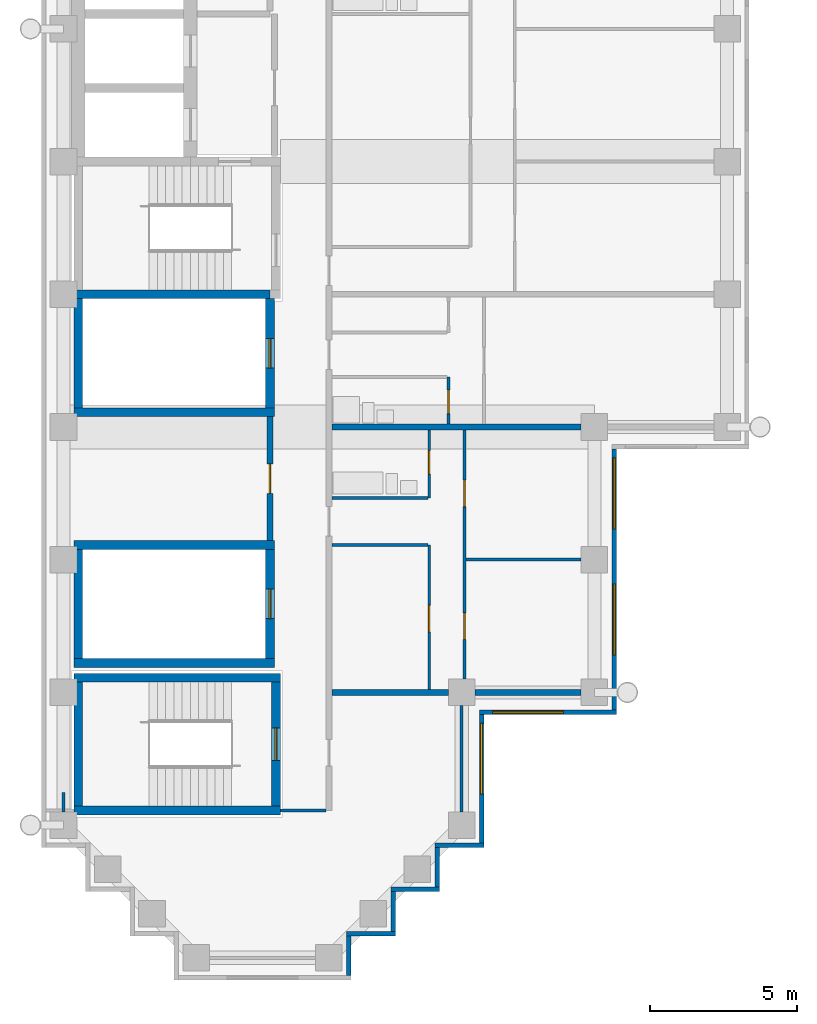
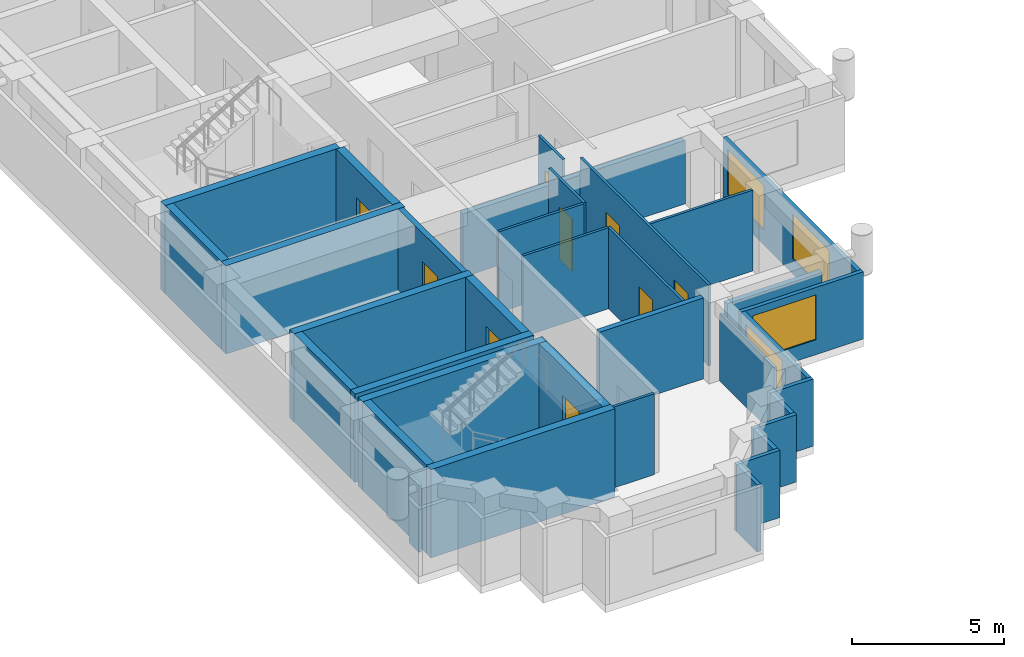
# One storey, part 5 of 14: 35 walls, 9 doors, 4 windows, 13 openings.
"""IFC4 building model written with IfcOpenShell, lengths in metres."""

from ifc_helpers import new_model, si_unit, direction, frame, frame_2d, origin, place, context, subcontext, project, spatial, rectangle, extrude, material, layer, layer_set, type_object, element, fill, save


model = new_model("IFC4")

# Units and contexts
model_context = context("Model", 3, precision=1e-05, world=origin(), true_north=direction((0.0, 1.0)))
body_context = subcontext(model_context, "Body", "Model", "MODEL_VIEW")
ifc_project = project(units=[si_unit("LENGTHUNIT", "METRE"), si_unit("AREAUNIT", "SQUARE_METRE"), si_unit("VOLUMEUNIT", "CUBIC_METRE"), si_unit("PLANEANGLEUNIT", "RADIAN"), si_unit("MASSUNIT", "GRAM", prefix="KILO")], contexts=[model_context])

# Site, building, storey
site_placement = place(None, origin())
site = spatial("IfcSite", under=ifc_project, at=site_placement, CompositionType="ELEMENT")
building_placement = place(site_placement, origin())
building = spatial("IfcBuilding", under=site, at=building_placement, Name="Firuza Court", CompositionType="ELEMENT")
storey_placement = place(building_placement, frame((0.0, 0.0, 182.60009765625)))
storey = spatial("IfcBuildingStorey", under=building, at=storey_placement, Name="L46", CompositionType="ELEMENT", Elevation=182.60009765625)

# Walls
ifc_material_1 = material(Name="Moisture-resistant gypsum board partition")
ifc_layer_1 = layer(ifc_material_1, 0.10009765625)
ifc_layer_set_1 = layer_set([ifc_layer_1], Name="Moisture-resistant gypsum board partition")
wall_type_1 = type_object("IfcWallType", Name="Bathroom partition 100", PredefinedType="PLUMBINGWALL", material=ifc_layer_set_1)
wall_1_placement = place(storey_placement, frame((9.10009765625, 15.60009765625, 0.0), z_axis=(0.0, 0.0, 1.0), x_axis=(1.0, 0.0, 0.0)))
element("IfcWall", 1, at=wall_1_placement, inside=storey, type_object=wall_type_1, Name="Bathroom partition 100 L46", PredefinedType="PLUMBINGWALL", context=body_context, shape_type="SweptSolid", body=[
    extrude(rectangle(XDim=3.25, YDim=0.10009765625, at=frame_2d((1.625, 0.0))), origin(), (0.0, 0.0, 1.0), 3.25),
])
ifc_material_2 = material(Name="Concrete C50/60", Category="concrete")
ifc_layer_2 = layer(ifc_material_2, 0.300048828125)
ifc_layer_set_2 = layer_set([ifc_layer_2], Name="Concrete C50/60")
wall_type_2 = type_object("IfcWallType", Name="Core wall 300 C50/60", PredefinedType="SHEAR", material=ifc_layer_set_2)
for number, where, z_axis, x_axis, name in (
    (2, (0.35009765625, 5.0, -0.300048828125), (0.0, 0.0, 1.0), (1.0, 0.0, 0.0), "Core wall stair L46"),
    (3, (0.35009765625, 9.5, -0.300048828125), (0.0, 0.0, 1.0), (1.0, 0.0, 0.0), "Core wall stair L46"),
):
    element("IfcWall", number, at=place(storey_placement, frame(where, z_axis=z_axis, x_axis=x_axis)), inside=storey, type_object=wall_type_2, Name=name, PredefinedType="SHEAR", context=body_context, shape_type="SweptSolid", body=[
        extrude(rectangle(XDim=7.0, YDim=0.300048828125, at=frame_2d((3.5, 0.0))), origin(), (0.0, 0.0, 1.0), 3.550048828125),
    ])
for number, where, z_axis, x_axis, name in (
    (4, (0.35009765625, 10.0, -0.300048828125), (0.0, 0.0, 1.0), (1.0, 0.0, 0.0), "Core wall riser L46"),
    (5, (0.35009765625, 14.0, -0.300048828125), (0.0, 0.0, 1.0), (1.0, 0.0, 0.0), "Core wall riser L46"),
    (6, (0.35009765625, 18.5, -0.300048828125), (0.0, 0.0, 1.0), (1.0, 0.0, 0.0), "Core wall riser L46"),
):
    element("IfcWall", number, at=place(storey_placement, frame(where, z_axis=z_axis, x_axis=x_axis)), inside=storey, type_object=wall_type_2, Name=name, PredefinedType="SHEAR", context=body_context, shape_type="SweptSolid", body=[
        extrude(rectangle(XDim=6.7998046875, YDim=0.300048828125, at=frame_2d((3.39990234375, 0.0))), origin(), (0.0, 0.0, 1.0), 3.550048828125),
    ])
wall_2_placement = place(storey_placement, frame((0.35009765625, 22.5, -0.300048828125), z_axis=(0.0, 0.0, 1.0), x_axis=(1.0, 0.0, 0.0)))
element("IfcWall", 7, at=wall_2_placement, inside=storey, type_object=wall_type_2, Name="Core wall riser L46", PredefinedType="SHEAR", context=body_context, shape_type="SweptSolid", body=[
    extrude(rectangle(XDim=6.64990234375, YDim=0.300048828125, at=frame_2d((3.324951171875, 0.0))), origin(), (0.0, 0.0, 1.0), 3.550048828125),
])
wall_3_placement = place(storey_placement, frame((0.5, 5.14990234375, -0.300048828125), z_axis=(0.0, 0.0, 1.0), x_axis=(0.0, 1.0, 0.0)))
element("IfcWall", 8, at=wall_3_placement, inside=storey, type_object=wall_type_2, Name="Core wall stair L46", PredefinedType="SHEAR", context=body_context, shape_type="SweptSolid", body=[
    extrude(rectangle(XDim=4.2001953125, YDim=0.300048828125, at=frame_2d((2.10009765625, 0.0))), origin(), (0.0, 0.0, 1.0), 3.550048828125),
])
for number, where, z_axis, x_axis, name in (
    (9, (0.5, 10.14990234375, -0.300048828125), (0.0, 0.0, 1.0), (0.0, 1.0, 0.0), "Core wall riser L46"),
    (10, (0.5, 18.64990234375, -0.300048828125), (0.0, 0.0, 1.0), (0.0, 1.0, 0.0), "Core wall riser L46"),
):
    element("IfcWall", number, at=place(storey_placement, frame(where, z_axis=z_axis, x_axis=x_axis)), inside=storey, type_object=wall_type_2, Name=name, PredefinedType="SHEAR", context=body_context, shape_type="SweptSolid", body=[
        extrude(rectangle(XDim=3.7001953125, YDim=0.300048828125, at=frame_2d((1.85009765625, 0.0))), origin(), (0.0, 0.0, 1.0), 3.550048828125),
    ])

# Wall, opening, door
wall_4_placement = place(storey_placement, frame((7.0, 10.14990234375, -0.300048828125), z_axis=(0.0, 0.0, 1.0), x_axis=(0.0, 1.0, 0.0)))
wall_4 = element("IfcWall", 11, at=wall_4_placement, inside=storey, type_object=wall_type_2, Name="Core wall riser L46", PredefinedType="SHEAR", context=body_context, shape_type="SweptSolid", body=[
    extrude(rectangle(XDim=3.7001953125, YDim=0.300048828125, at=frame_2d((1.85009765625, 0.0))), origin(), (0.0, 0.0, 1.0), 3.550048828125),
])
opening_1_placement = place(wall_4_placement, frame((1.35009765625, 0.0, 0.300048828125)))
opening_1 = element("IfcOpeningElement", 12, at=opening_1_placement, cuts=wall_4, Name="Opening D46011", PredefinedType="OPENING", context=body_context, shape_type="SweptSolid", body=[
    extrude(rectangle(XDim=1.0, YDim=2.10009765625, at=frame_2d((0.5, 1.050048828125))), frame((0.0, 0.162109375, 0.0), z_axis=(0.0, -1.0, 0.0), x_axis=(1.0, 0.0, 0.0)), (0.0, 0.0, 1.0), 0.323974609375),
])
ifc_material_3 = material(Name="Timber door leaf in hardwood frame", Category="wood")
door_type_1 = type_object("IfcDoorType", Name="Riser door 1000", OperationType="SINGLE_SWING_LEFT", PredefinedType="DOOR", material=ifc_material_3)
door_1_placement = place(opening_1_placement, origin())
door_1 = element("IfcDoor", 13, at=door_1_placement, inside=storey, type_object=door_type_1, Name="Riser door R4", OperationType="SINGLE_SWING_LEFT", OverallHeight=2.10009765625, OverallWidth=1.0, PredefinedType="DOOR", context=body_context, shape_type="SweptSolid", body=[
    extrude(rectangle(XDim=1.0, YDim=2.10009765625, at=frame_2d((0.5, 1.050048828125))), frame((0.0, 0.02490234375, 0.0), z_axis=(0.0, -1.0, 0.0), x_axis=(1.0, 0.0, 0.0)), (0.0, 0.0, 1.0), 0.050048828125),
])
fill(opening_1, door_1)

wall_5_placement = place(storey_placement, frame((7.0, 18.64990234375, -0.300048828125), z_axis=(0.0, 0.0, 1.0), x_axis=(0.0, 1.0, 0.0)))
wall_5 = element("IfcWall", 14, at=wall_5_placement, inside=storey, type_object=wall_type_2, Name="Core wall riser L46", PredefinedType="SHEAR", context=body_context, shape_type="SweptSolid", body=[
    extrude(rectangle(XDim=3.7001953125, YDim=0.300048828125, at=frame_2d((1.85009765625, 0.0))), origin(), (0.0, 0.0, 1.0), 3.550048828125),
])
opening_2_placement = place(wall_5_placement, frame((1.35009765625, 0.0, 0.300048828125)))
opening_2 = element("IfcOpeningElement", 15, at=opening_2_placement, cuts=wall_5, Name="Opening D46009", PredefinedType="OPENING", context=body_context, shape_type="SweptSolid", body=[
    extrude(rectangle(XDim=1.0, YDim=2.10009765625, at=frame_2d((0.5, 1.050048828125))), frame((0.0, 0.162109375, 0.0), z_axis=(0.0, -1.0, 0.0), x_axis=(1.0, 0.0, 0.0)), (0.0, 0.0, 1.0), 0.323974609375),
])
door_2_placement = place(opening_2_placement, origin())
door_2 = element("IfcDoor", 16, at=door_2_placement, inside=storey, type_object=door_type_1, Name="Riser door R1", OperationType="SINGLE_SWING_LEFT", OverallHeight=2.10009765625, OverallWidth=1.0, PredefinedType="DOOR", context=body_context, shape_type="SweptSolid", body=[
    extrude(rectangle(XDim=1.0, YDim=2.10009765625, at=frame_2d((0.5, 1.050048828125))), frame((0.0, 0.02490234375, 0.0), z_axis=(0.0, -1.0, 0.0), x_axis=(1.0, 0.0, 0.0)), (0.0, 0.0, 1.0), 0.050048828125),
])
fill(opening_2, door_2)

wall_6_placement = place(storey_placement, frame((7.199951171875, 5.14990234375, -0.300048828125), z_axis=(0.0, 0.0, 1.0), x_axis=(0.0, 1.0, 0.0)))
wall_6 = element("IfcWall", 17, at=wall_6_placement, inside=storey, type_object=wall_type_2, Name="Core wall stair L46", PredefinedType="SHEAR", context=body_context, shape_type="SweptSolid", body=[
    extrude(rectangle(XDim=4.2001953125, YDim=0.300048828125, at=frame_2d((2.10009765625, 0.0))), origin(), (0.0, 0.0, 1.0), 3.550048828125),
])
opening_3_placement = place(wall_6_placement, frame((1.550048828125, 0.0, 0.300048828125)))
opening_3 = element("IfcOpeningElement", 18, at=opening_3_placement, cuts=wall_6, Name="Opening D46017", PredefinedType="OPENING", context=body_context, shape_type="SweptSolid", body=[
    extrude(rectangle(XDim=1.10009765625, YDim=2.10009765625, at=frame_2d((0.550048828125, 1.050048828125))), frame((0.0, 0.162109375, 0.0), z_axis=(0.0, -1.0, 0.0), x_axis=(1.0, 0.0, 0.0)), (0.0, 0.0, 1.0), 0.323974609375),
])
ifc_material_4 = material(Name="Timber door leaf in hardwood frame", Category="wood")
door_type_2 = type_object("IfcDoorType", Name="Stair door 1100", OperationType="SINGLE_SWING_LEFT", PredefinedType="DOOR", material=ifc_material_4)
door_3_placement = place(opening_3_placement, origin())
door_3 = element("IfcDoor", 19, at=door_3_placement, inside=storey, type_object=door_type_2, Name="Stair door S5", OperationType="SINGLE_SWING_LEFT", OverallHeight=2.10009765625, OverallWidth=1.10009765625, PredefinedType="DOOR", context=body_context, shape_type="SweptSolid", body=[
    extrude(rectangle(XDim=1.10009765625, YDim=2.10009765625, at=frame_2d((0.550048828125, 1.050048828125))), frame((0.0, 0.02490234375, 0.0), z_axis=(0.0, -1.0, 0.0), x_axis=(1.0, 0.0, 0.0)), (0.0, 0.0, 1.0), 0.050048828125),
])
fill(opening_3, door_3)

ifc_material_5 = material(Name="Blockwork, plastered both sides", Category="masonry")
ifc_layer_3 = layer(ifc_material_5, 0.199951171875)
ifc_layer_set_3 = layer_set([ifc_layer_3], Name="Blockwork, plastered both sides")
wall_type_3 = type_object("IfcWallType", Name="Corridor wall 200", PredefinedType="PARTITIONING", material=ifc_layer_set_3)
wall_7_placement = place(storey_placement, frame((7.0, 14.14990234375, 0.0), z_axis=(0.0, 0.0, 1.0), x_axis=(0.0, 1.0, 0.0)))
wall_7 = element("IfcWall", 20, at=wall_7_placement, inside=storey, type_object=wall_type_3, Name="Corridor wall 200 L46", PredefinedType="PARTITIONING", context=body_context, shape_type="SweptSolid", body=[
    extrude(rectangle(XDim=4.2001953125, YDim=0.199951171875, at=frame_2d((2.10009765625, 0.0))), origin(), (0.0, 0.0, 1.0), 3.25),
])
opening_4_placement = place(wall_7_placement, frame((1.60009765625, 0.0, 0.0)))
opening_4 = element("IfcOpeningElement", 21, at=opening_4_placement, cuts=wall_7, Name="Opening D46025", PredefinedType="OPENING", context=body_context, shape_type="SweptSolid", body=[
    extrude(rectangle(XDim=1.0, YDim=2.10009765625, at=frame_2d((0.5, 1.050048828125))), frame((0.0, 0.11181640625, 0.0), z_axis=(0.0, -1.0, 0.0), x_axis=(1.0, 0.0, 0.0)), (0.0, 0.0, 1.0), 0.223876953125),
])
ifc_material_6 = material(Name="Timber door leaf in hardwood frame", Category="wood")
door_type_3 = type_object("IfcDoorType", Name="Store door 1000", OperationType="SINGLE_SWING_LEFT", PredefinedType="DOOR", material=ifc_material_6)
door_4_placement = place(opening_4_placement, origin())
door_4 = element("IfcDoor", 22, at=door_4_placement, inside=storey, type_object=door_type_3, Name="Comms room door", OperationType="SINGLE_SWING_LEFT", OverallHeight=2.10009765625, OverallWidth=1.0, PredefinedType="DOOR", context=body_context, shape_type="SweptSolid", body=[
    extrude(rectangle(XDim=1.0, YDim=2.10009765625, at=frame_2d((0.5, 1.050048828125))), frame((0.0, 0.02490234375, 0.0), z_axis=(0.0, -1.0, 0.0), x_axis=(1.0, 0.0, 0.0)), (0.0, 0.0, 1.0), 0.050048828125),
])
fill(opening_4, door_4)

# Walls
ifc_material_7 = material(Name="Timber stud partition, plasterboard both sides", Category="wood")
ifc_layer_4 = layer(ifc_material_7, 0.10009765625)
ifc_layer_set_4 = layer_set([ifc_layer_4], Name="Timber stud partition, plasterboard both sides")
wall_type_4 = type_object("IfcWallType", Name="Partition wall 100", PredefinedType="PARTITIONING", material=ifc_layer_set_4)
wall_8_placement = place(storey_placement, frame((0.0, 4.949951171875, 0.0), z_axis=(0.0, 0.0, 1.0), x_axis=(0.0, 1.0, 0.0)))
element("IfcWall", 23, at=wall_8_placement, inside=storey, type_object=wall_type_4, Name="Partition wall 100 L46", PredefinedType="PARTITIONING", context=body_context, shape_type="SweptSolid", body=[
    extrude(rectangle(XDim=0.650146484375, YDim=0.10009765625, at=frame_2d((0.3251953125, 0.0))), origin(), (0.0, 0.0, 1.0), 2.699951171875),
])
wall_9_placement = place(storey_placement, frame((13.5, 4.949951171875, 0.0), z_axis=(0.0, 0.0, 1.0), x_axis=(0.0, 1.0, 0.0)))
element("IfcWall", 24, at=wall_9_placement, inside=storey, type_object=wall_type_4, Name="Partition wall 100 L46", PredefinedType="PARTITIONING", context=body_context, shape_type="SweptSolid", body=[
    extrude(rectangle(XDim=3.60009765625, YDim=0.10009765625, at=frame_2d((1.800048828125, 0.0))), origin(), (0.0, 0.0, 1.0), 2.699951171875),
])
wall_10_placement = place(storey_placement, frame((7.34912109375, 5.0, 0.0), z_axis=(0.0, 0.0, 1.0), x_axis=(1.0, 0.0, 0.0)))
element("IfcWall", 25, at=wall_10_placement, inside=storey, type_object=wall_type_4, Name="Partition wall 100 L46", PredefinedType="PARTITIONING", context=body_context, shape_type="SweptSolid", body=[
    extrude(rectangle(XDim=1.55078125, YDim=0.10009765625, at=frame_2d((0.775390625, 0.0))), origin(), (0.0, 0.0, 1.0), 3.25),
])

# Wall, opening, door
wall_11_placement = place(storey_placement, frame((12.39990234375, 9.10009765625, 0.0), z_axis=(0.0, 0.0, 1.0), x_axis=(0.0, 1.0, 0.0)))
wall_11 = element("IfcWall", 26, at=wall_11_placement, inside=storey, type_object=wall_type_4, Name="Partition wall 100 L46", PredefinedType="PARTITIONING", context=body_context, shape_type="SweptSolid", body=[
    extrude(rectangle(XDim=4.89990234375, YDim=0.10009765625, at=frame_2d((2.449951171875, 0.0))), origin(), (0.0, 0.0, 1.0), 3.25),
])
opening_5_placement = place(wall_11_placement, frame((1.949951171875, 0.0, 0.0)))
opening_5 = element("IfcOpeningElement", 27, at=opening_5_placement, cuts=wall_11, Name="Opening D46022", PredefinedType="OPENING", context=body_context, shape_type="SweptSolid", body=[
    extrude(rectangle(XDim=0.89990234375, YDim=2.10009765625, at=frame_2d((0.449951171875, 1.050048828125))), frame((0.0, 0.06201171875, 0.0), z_axis=(0.0, -1.0, 0.0), x_axis=(1.0, 0.0, 0.0)), (0.0, 0.0, 1.0), 0.1240234375),
])
ifc_material_8 = material(Name="Timber door leaf in hardwood frame", Category="wood")
door_type_4 = type_object("IfcDoorType", Name="Room door 900", OperationType="SINGLE_SWING_LEFT", PredefinedType="DOOR", material=ifc_material_8)
door_5_placement = place(opening_5_placement, origin())
door_5 = element("IfcDoor", 28, at=door_5_placement, inside=storey, type_object=door_type_4, Name="Kitchen door", OperationType="SINGLE_SWING_LEFT", OverallHeight=2.10009765625, OverallWidth=0.89990234375, PredefinedType="DOOR", context=body_context, shape_type="SweptSolid", body=[
    extrude(rectangle(XDim=0.89990234375, YDim=2.10009765625, at=frame_2d((0.449951171875, 1.050048828125))), frame((0.0, 0.02490234375, 0.0), z_axis=(0.0, -1.0, 0.0), x_axis=(1.0, 0.0, 0.0)), (0.0, 0.0, 1.0), 0.050048828125),
])
fill(opening_5, door_5)

# Wall, openings, doors
wall_12_placement = place(storey_placement, frame((13.60009765625, 9.449951171875, 0.0), z_axis=(0.0, 0.0, 1.0), x_axis=(0.0, 1.0, 0.0)))
wall_12 = element("IfcWall", 29, at=wall_12_placement, inside=storey, type_object=wall_type_4, Name="Partition wall 100 L46", PredefinedType="PARTITIONING", context=body_context, shape_type="SweptSolid", body=[
    extrude(rectangle(XDim=8.449951171875, YDim=0.10009765625, at=frame_2d((4.22509765625, 0.0))), origin(), (0.0, 0.0, 1.0), 3.25),
])
opening_6_placement = place(wall_12_placement, frame((1.35009765625, 0.0, 0.0)))
opening_6 = element("IfcOpeningElement", 30, at=opening_6_placement, cuts=wall_12, Name="Opening D46023", PredefinedType="OPENING", context=body_context, shape_type="SweptSolid", body=[
    extrude(rectangle(XDim=0.89990234375, YDim=2.10009765625, at=frame_2d((0.449951171875, 1.050048828125))), frame((0.0, 0.06201171875, 0.0), z_axis=(0.0, -1.0, 0.0), x_axis=(1.0, 0.0, 0.0)), (0.0, 0.0, 1.0), 0.1240234375),
])
opening_7_placement = place(wall_12_placement, frame((5.85009765625, 0.0, 0.0)))
opening_7 = element("IfcOpeningElement", 31, at=opening_7_placement, cuts=wall_12, Name="Opening D46024", PredefinedType="OPENING", context=body_context, shape_type="SweptSolid", body=[
    extrude(rectangle(XDim=0.89990234375, YDim=2.10009765625, at=frame_2d((0.449951171875, 1.050048828125))), frame((0.0, 0.06201171875, 0.0), z_axis=(0.0, -1.0, 0.0), x_axis=(1.0, 0.0, 0.0)), (0.0, 0.0, 1.0), 0.1240234375),
])
door_6_placement = place(opening_6_placement, frame((0.89990234375, 0.0, 0.0), z_axis=(0.0, 0.0, 1.0), x_axis=(-1.0, 0.0, 0.0)))
door_6 = element("IfcDoor", 32, at=door_6_placement, inside=storey, type_object=door_type_4, Name="Living room door", OperationType="SINGLE_SWING_RIGHT", OverallHeight=2.10009765625, OverallWidth=0.89990234375, PredefinedType="DOOR", context=body_context, shape_type="SweptSolid", body=[
    extrude(rectangle(XDim=0.89990234375, YDim=2.10009765625, at=frame_2d((0.449951171875, 1.050048828125))), frame((0.0, 0.02490234375, 0.0), z_axis=(0.0, -1.0, 0.0), x_axis=(1.0, 0.0, 0.0)), (0.0, 0.0, 1.0), 0.050048828125),
])
fill(opening_6, door_6)
door_7_placement = place(opening_7_placement, frame((0.89990234375, 0.0, 0.0), z_axis=(0.0, 0.0, 1.0), x_axis=(-1.0, 0.0, 0.0)))
door_7 = element("IfcDoor", 33, at=door_7_placement, inside=storey, type_object=door_type_4, Name="Bedroom door", OperationType="SINGLE_SWING_RIGHT", OverallHeight=2.10009765625, OverallWidth=0.89990234375, PredefinedType="DOOR", context=body_context, shape_type="SweptSolid", body=[
    extrude(rectangle(XDim=0.89990234375, YDim=2.10009765625, at=frame_2d((0.449951171875, 1.050048828125))), frame((0.0, 0.02490234375, 0.0), z_axis=(0.0, -1.0, 0.0), x_axis=(1.0, 0.0, 0.0)), (0.0, 0.0, 1.0), 0.050048828125),
])
fill(opening_7, door_7)

# Walls
wall_13_placement = place(storey_placement, frame((13.64990234375, 13.5, 0.0), z_axis=(0.0, 0.0, 1.0), x_axis=(1.0, 0.0, 0.0)))
element("IfcWall", 34, at=wall_13_placement, inside=storey, type_object=wall_type_4, Name="Partition wall 100 L46", PredefinedType="PARTITIONING", context=body_context, shape_type="SweptSolid", body=[
    extrude(rectangle(XDim=3.900146484375, YDim=0.10009765625, at=frame_2d((1.9501953125, 0.0))), origin(), (0.0, 0.0, 1.0), 3.25),
])
wall_14_placement = place(storey_placement, frame((9.10009765625, 14.0, 0.0), z_axis=(0.0, 0.0, 1.0), x_axis=(1.0, 0.0, 0.0)))
element("IfcWall", 35, at=wall_14_placement, inside=storey, type_object=wall_type_4, Name="Partition wall 100 L46", PredefinedType="PARTITIONING", context=body_context, shape_type="SweptSolid", body=[
    extrude(rectangle(XDim=3.25, YDim=0.10009765625, at=frame_2d((1.625, 0.0))), origin(), (0.0, 0.0, 1.0), 3.25),
])

# Wall, opening, door
wall_15_placement = place(storey_placement, frame((12.39990234375, 15.60009765625, 0.0), z_axis=(0.0, 0.0, 1.0), x_axis=(0.0, 1.0, 0.0)))
wall_15 = element("IfcWall", 36, at=wall_15_placement, inside=storey, type_object=wall_type_4, Name="Partition wall 100 L46", PredefinedType="PARTITIONING", context=body_context, shape_type="SweptSolid", body=[
    extrude(rectangle(XDim=2.2998046875, YDim=0.10009765625, at=frame_2d((1.14990234375, 0.0))), origin(), (0.0, 0.0, 1.0), 3.25),
])
opening_8_placement = place(wall_15_placement, frame((0.800048828125, 0.0, 0.0)))
opening_8 = element("IfcOpeningElement", 37, at=opening_8_placement, cuts=wall_15, Name="Opening D46026", PredefinedType="OPENING", context=body_context, shape_type="SweptSolid", body=[
    extrude(rectangle(XDim=0.800048828125, YDim=2.10009765625, at=frame_2d((0.39990234375, 1.050048828125))), frame((0.0, 0.06201171875, 0.0), z_axis=(0.0, -1.0, 0.0), x_axis=(1.0, 0.0, 0.0)), (0.0, 0.0, 1.0), 0.1240234375),
])
ifc_material_9 = material(Name="Timber door leaf in hardwood frame", Category="wood")
door_type_5 = type_object("IfcDoorType", Name="Bathroom door 800", OperationType="SINGLE_SWING_LEFT", PredefinedType="DOOR", material=ifc_material_9)
door_8_placement = place(opening_8_placement, origin())
door_8 = element("IfcDoor", 38, at=door_8_placement, inside=storey, type_object=door_type_5, Name="Bathroom door", OperationType="SINGLE_SWING_LEFT", OverallHeight=2.10009765625, OverallWidth=0.800048828125, PredefinedType="DOOR", context=body_context, shape_type="SweptSolid", body=[
    extrude(rectangle(XDim=0.800048828125, YDim=2.10009765625, at=frame_2d((0.39990234375, 1.050048828125))), frame((0.0, 0.02490234375, 0.0), z_axis=(0.0, -1.0, 0.0), x_axis=(1.0, 0.0, 0.0)), (0.0, 0.0, 1.0), 0.050048828125),
])
fill(opening_8, door_8)

wall_16_placement = place(storey_placement, frame((13.050048828125, 18.10009765625, 0.0), z_axis=(0.0, 0.0, 1.0), x_axis=(0.0, 1.0, 0.0)))
wall_16 = element("IfcWall", 39, at=wall_16_placement, inside=storey, type_object=wall_type_4, Name="Partition wall 100 L46", PredefinedType="PARTITIONING", context=body_context, shape_type="SweptSolid", body=[
    extrude(rectangle(XDim=1.599853515625, YDim=0.10009765625, at=frame_2d((0.7998046875, 0.0))), origin(), (0.0, 0.0, 1.0), 3.25),
])
opening_9_placement = place(wall_16_placement, frame((0.35009765625, 0.0, 0.0)))
opening_9 = element("IfcOpeningElement", 40, at=opening_9_placement, cuts=wall_16, Name="Opening D46027", PredefinedType="OPENING", context=body_context, shape_type="SweptSolid", body=[
    extrude(rectangle(XDim=0.800048828125, YDim=2.10009765625, at=frame_2d((0.39990234375, 1.050048828125))), frame((0.0, 0.06201171875, 0.0), z_axis=(0.0, -1.0, 0.0), x_axis=(1.0, 0.0, 0.0)), (0.0, 0.0, 1.0), 0.1240234375),
])
door_9_placement = place(opening_9_placement, origin())
door_9 = element("IfcDoor", 41, at=door_9_placement, inside=storey, type_object=door_type_5, Name="Bathroom door", OperationType="SINGLE_SWING_LEFT", OverallHeight=2.10009765625, OverallWidth=0.800048828125, PredefinedType="DOOR", context=body_context, shape_type="SweptSolid", body=[
    extrude(rectangle(XDim=0.800048828125, YDim=2.10009765625, at=frame_2d((0.39990234375, 1.050048828125))), frame((0.0, 0.02490234375, 0.0), z_axis=(0.0, -1.0, 0.0), x_axis=(1.0, 0.0, 0.0)), (0.0, 0.0, 1.0), 0.050048828125),
])
fill(opening_9, door_9)

# Walls
ifc_layer_5 = layer(ifc_material_5, 0.199951171875)
ifc_layer_set_5 = layer_set([ifc_layer_5], Name="Blockwork, plastered both sides")
wall_type_5 = type_object("IfcWallType", Name="Party wall 200", PredefinedType="PARTITIONING", material=ifc_layer_set_5)
wall_17_placement = place(storey_placement, frame((9.10009765625, 9.0, 0.0), z_axis=(0.0, 0.0, 1.0), x_axis=(1.0, 0.0, 0.0)))
element("IfcWall", 42, at=wall_17_placement, inside=storey, type_object=wall_type_5, Name="Party wall 200 L46", PredefinedType="PARTITIONING", context=body_context, shape_type="SweptSolid", body=[
    extrude(rectangle(XDim=3.949951171875, YDim=0.199951171875, at=frame_2d((1.97509765625, 0.0))), origin(), (0.0, 0.0, 1.0), 3.25),
])
wall_18_placement = place(storey_placement, frame((13.949951171875, 9.0, 0.0), z_axis=(0.0, 0.0, 1.0), x_axis=(1.0, 0.0, 0.0)))
element("IfcWall", 43, at=wall_18_placement, inside=storey, type_object=wall_type_5, Name="Party wall 200 L46", PredefinedType="PARTITIONING", context=body_context, shape_type="SweptSolid", body=[
    extrude(rectangle(XDim=3.60009765625, YDim=0.199951171875, at=frame_2d((1.800048828125, 0.0))), origin(), (0.0, 0.0, 1.0), 2.699951171875),
])
wall_19_placement = place(storey_placement, frame((9.10009765625, 18.0, 0.0), z_axis=(0.0, 0.0, 1.0), x_axis=(1.0, 0.0, 0.0)))
element("IfcWall", 44, at=wall_19_placement, inside=storey, type_object=wall_type_5, Name="Party wall 200 L46", PredefinedType="PARTITIONING", context=body_context, shape_type="SweptSolid", body=[
    extrude(rectangle(XDim=8.449951171875, YDim=0.199951171875, at=frame_2d((4.22509765625, 0.0))), origin(), (0.0, 0.0, 1.0), 2.5498046875),
])
ifc_material_10 = material(Name="Ceramic tile", Category="ceramic")
ifc_layer_6 = layer(ifc_material_10, 0.02001953125)
ifc_material_11 = material(Name="Mineral wool insulation", Category="insulation")
ifc_layer_7 = layer(ifc_material_11, 0.050048828125)
ifc_material_12 = material(Name="Concrete C40/50 precast", Category="concrete")
ifc_layer_8 = layer(ifc_material_12, 0.080078125)
ifc_layer_set_6 = layer_set([ifc_layer_6, ifc_layer_7, ifc_layer_8], Name="Concrete C40/50 precast")
wall_type_6 = type_object("IfcWallType", Name="Precast cladding wall with turquoise TILE PANEL face 150", PredefinedType="STANDARD", material=ifc_layer_set_6)
wall_20_placement = place(storey_placement, frame((9.675048828125, -0.60009765625, 0.0), z_axis=(0.0, 0.0, 1.0), x_axis=(0.0, 1.0, 0.0)))
element("IfcWall", 45, at=wall_20_placement, inside=storey, type_object=wall_type_6, Name="Facade wall L46 E", PredefinedType="STANDARD", context=body_context, shape_type="SweptSolid", body=[
    extrude(rectangle(XDim=1.35009765625, YDim=0.14990234375, at=frame_2d((0.675048828125, 0.0))), origin(), (0.0, 0.0, 1.0), 2.699951171875),
])
wall_21_placement = place(storey_placement, frame((9.60009765625, 0.824951171875, 0.0), z_axis=(0.0, 0.0, 1.0), x_axis=(1.0, 0.0, 0.0)))
element("IfcWall", 46, at=wall_21_placement, inside=storey, type_object=wall_type_6, Name="Facade wall L46 S", PredefinedType="STANDARD", context=body_context, shape_type="SweptSolid", body=[
    extrude(rectangle(XDim=1.64990234375, YDim=0.14990234375, at=frame_2d((0.824951171875, 0.0))), origin(), (0.0, 0.0, 1.0), 2.699951171875),
])
wall_22_placement = place(storey_placement, frame((11.175048828125, 0.89990234375, 0.0), z_axis=(0.0, 0.0, 1.0), x_axis=(0.0, 1.0, 0.0)))
element("IfcWall", 47, at=wall_22_placement, inside=storey, type_object=wall_type_6, Name="Facade wall L46 E", PredefinedType="STANDARD", context=body_context, shape_type="SweptSolid", body=[
    extrude(rectangle(XDim=1.35009765625, YDim=0.14990234375, at=frame_2d((0.675048828125, 0.0))), origin(), (0.0, 0.0, 1.0), 2.699951171875),
])
wall_23_placement = place(storey_placement, frame((11.10009765625, 2.324951171875, 0.0), z_axis=(0.0, 0.0, 1.0), x_axis=(1.0, 0.0, 0.0)))
element("IfcWall", 48, at=wall_23_placement, inside=storey, type_object=wall_type_6, Name="Facade wall L46 S", PredefinedType="STANDARD", context=body_context, shape_type="SweptSolid", body=[
    extrude(rectangle(XDim=1.64990234375, YDim=0.14990234375, at=frame_2d((0.824951171875, 0.0))), origin(), (0.0, 0.0, 1.0), 2.699951171875),
])
wall_24_placement = place(storey_placement, frame((12.675048828125, 2.39990234375, 0.0), z_axis=(0.0, 0.0, 1.0), x_axis=(0.0, 1.0, 0.0)))
element("IfcWall", 49, at=wall_24_placement, inside=storey, type_object=wall_type_6, Name="Facade wall L46 E", PredefinedType="STANDARD", context=body_context, shape_type="SweptSolid", body=[
    extrude(rectangle(XDim=1.35009765625, YDim=0.14990234375, at=frame_2d((0.675048828125, 0.0))), origin(), (0.0, 0.0, 1.0), 2.699951171875),
])
wall_25_placement = place(storey_placement, frame((12.60009765625, 3.824951171875, 0.0), z_axis=(0.0, 0.0, 1.0), x_axis=(1.0, 0.0, 0.0)))
element("IfcWall", 50, at=wall_25_placement, inside=storey, type_object=wall_type_6, Name="Facade wall L46 S", PredefinedType="STANDARD", context=body_context, shape_type="SweptSolid", body=[
    extrude(rectangle(XDim=1.64990234375, YDim=0.14990234375, at=frame_2d((0.824951171875, 0.0))), origin(), (0.0, 0.0, 1.0), 2.699951171875),
])

# Wall, opening, window
wall_26_placement = place(storey_placement, frame((14.175048828125, 3.89990234375, 0.0), z_axis=(0.0, 0.0, 1.0), x_axis=(0.0, 1.0, 0.0)))
wall_26 = element("IfcWall", 51, at=wall_26_placement, inside=storey, type_object=wall_type_6, Name="Facade wall L46 E", PredefinedType="STANDARD", context=body_context, shape_type="SweptSolid", body=[
    extrude(rectangle(XDim=4.35009765625, YDim=0.14990234375, at=frame_2d((2.175048828125, 0.0))), origin(), (0.0, 0.0, 1.0), 2.699951171875),
])
opening_10_placement = place(wall_26_placement, frame((1.64990234375, 0.0, 0.60009765625)))
opening_10 = element("IfcOpeningElement", 52, at=opening_10_placement, cuts=wall_26, Name="Opening W1", PredefinedType="OPENING", context=body_context, shape_type="SweptSolid", body=[
    extrude(rectangle(XDim=2.39990234375, YDim=1.800048828125, at=frame_2d((1.199951171875, 0.89990234375))), frame((0.0, 0.0869140625, 0.0), z_axis=(0.0, -1.0, 0.0), x_axis=(1.0, 0.0, 0.0)), (0.0, 0.0, 1.0), 0.173828125),
])
ifc_material_13 = material(Name="Aluminium frame, triple clear glazing", Category="aluminium")
window_type = type_object("IfcWindowType", Name="Window W1 2400 x 1800", PartitioningType="SINGLE_PANEL", PredefinedType="WINDOW", material=ifc_material_13)
window_1_placement = place(opening_10_placement, origin())
window_1 = element("IfcWindow", 53, at=window_1_placement, inside=storey, type_object=window_type, Name="Window L46", OverallHeight=1.800048828125, OverallWidth=2.39990234375, PartitioningType="SINGLE_PANEL", PredefinedType="WINDOW", context=body_context, shape_type="SweptSolid", body=[
    extrude(rectangle(XDim=2.39990234375, YDim=1.800048828125, at=frame_2d((1.199951171875, 0.89990234375))), frame((0.0, 0.030029296875, 0.0), z_axis=(0.0, -1.0, 0.0), x_axis=(1.0, 0.0, 0.0)), (0.0, 0.0, 1.0), 0.06005859375),
])
fill(opening_10, window_1)

wall_27_placement = place(storey_placement, frame((14.10009765625, 8.324951171875, 0.0), z_axis=(0.0, 0.0, 1.0), x_axis=(1.0, 0.0, 0.0)))
wall_27 = element("IfcWall", 54, at=wall_27_placement, inside=storey, type_object=wall_type_6, Name="Facade wall L46 S", PredefinedType="STANDARD", context=body_context, shape_type="SweptSolid", body=[
    extrude(rectangle(XDim=4.64990234375, YDim=0.14990234375, at=frame_2d((2.324951171875, 0.0))), origin(), (0.0, 0.0, 1.0), 2.699951171875),
])
opening_11_placement = place(wall_27_placement, frame((0.449951171875, 0.0, 0.60009765625)))
opening_11 = element("IfcOpeningElement", 55, at=opening_11_placement, cuts=wall_27, Name="Opening W1", PredefinedType="OPENING", context=body_context, shape_type="SweptSolid", body=[
    extrude(rectangle(XDim=2.39990234375, YDim=1.800048828125, at=frame_2d((1.199951171875, 0.89990234375))), frame((0.0, 0.0869140625, 0.0), z_axis=(0.0, -1.0, 0.0), x_axis=(1.0, 0.0, 0.0)), (0.0, 0.0, 1.0), 0.173828125),
])
window_2_placement = place(opening_11_placement, origin())
window_2 = element("IfcWindow", 56, at=window_2_placement, inside=storey, type_object=window_type, Name="Window L46", OverallHeight=1.800048828125, OverallWidth=2.39990234375, PartitioningType="SINGLE_PANEL", PredefinedType="WINDOW", context=body_context, shape_type="SweptSolid", body=[
    extrude(rectangle(XDim=2.39990234375, YDim=1.800048828125, at=frame_2d((1.199951171875, 0.89990234375))), frame((0.0, 0.030029296875, 0.0), z_axis=(0.0, -1.0, 0.0), x_axis=(1.0, 0.0, 0.0)), (0.0, 0.0, 1.0), 0.06005859375),
])
fill(opening_11, window_2)

# Wall, openings, windows
wall_28_placement = place(storey_placement, frame((18.675048828125, 8.39990234375, 0.0), z_axis=(0.0, 0.0, 1.0), x_axis=(0.0, 1.0, 0.0)))
wall_28 = element("IfcWall", 57, at=wall_28_placement, inside=storey, type_object=wall_type_6, Name="Facade wall L46 E", PredefinedType="STANDARD", context=body_context, shape_type="SweptSolid", body=[
    extrude(rectangle(XDim=8.85009765625, YDim=0.14990234375, at=frame_2d((4.425048828125, 0.0))), origin(), (0.0, 0.0, 1.0), 2.699951171875),
])
opening_12_placement = place(wall_28_placement, frame((1.87060546875, 0.0, 0.60009765625)))
opening_12 = element("IfcOpeningElement", 58, at=opening_12_placement, cuts=wall_28, Name="Opening W1", PredefinedType="OPENING", context=body_context, shape_type="SweptSolid", body=[
    extrude(rectangle(XDim=2.39990234375, YDim=1.800048828125, at=frame_2d((1.199951171875, 0.89990234375))), frame((0.0, 0.0869140625, 0.0), z_axis=(0.0, -1.0, 0.0), x_axis=(1.0, 0.0, 0.0)), (0.0, 0.0, 1.0), 0.173828125),
])
opening_13_placement = place(wall_28_placement, frame((6.14990234375, 0.0, 0.60009765625)))
opening_13 = element("IfcOpeningElement", 59, at=opening_13_placement, cuts=wall_28, Name="Opening W1", PredefinedType="OPENING", context=body_context, shape_type="SweptSolid", body=[
    extrude(rectangle(XDim=2.39990234375, YDim=1.800048828125, at=frame_2d((1.199951171875, 0.89990234375))), frame((0.0, 0.0869140625, 0.0), z_axis=(0.0, -1.0, 0.0), x_axis=(1.0, 0.0, 0.0)), (0.0, 0.0, 1.0), 0.173828125),
])
window_3_placement = place(opening_12_placement, origin())
window_3 = element("IfcWindow", 60, at=window_3_placement, inside=storey, type_object=window_type, Name="Window L46", OverallHeight=1.800048828125, OverallWidth=2.39990234375, PartitioningType="SINGLE_PANEL", PredefinedType="WINDOW", context=body_context, shape_type="SweptSolid", body=[
    extrude(rectangle(XDim=2.39990234375, YDim=1.800048828125, at=frame_2d((1.199951171875, 0.89990234375))), frame((0.0, 0.030029296875, 0.0), z_axis=(0.0, -1.0, 0.0), x_axis=(1.0, 0.0, 0.0)), (0.0, 0.0, 1.0), 0.06005859375),
])
fill(opening_12, window_3)
window_4_placement = place(opening_13_placement, origin())
window_4 = element("IfcWindow", 61, at=window_4_placement, inside=storey, type_object=window_type, Name="Window L46", OverallHeight=1.800048828125, OverallWidth=2.39990234375, PartitioningType="SINGLE_PANEL", PredefinedType="WINDOW", context=body_context, shape_type="SweptSolid", body=[
    extrude(rectangle(XDim=2.39990234375, YDim=1.800048828125, at=frame_2d((1.199951171875, 0.89990234375))), frame((0.0, 0.030029296875, 0.0), z_axis=(0.0, -1.0, 0.0), x_axis=(1.0, 0.0, 0.0)), (0.0, 0.0, 1.0), 0.06005859375),
])
fill(opening_13, window_4)

save(model, "model.ifc")
